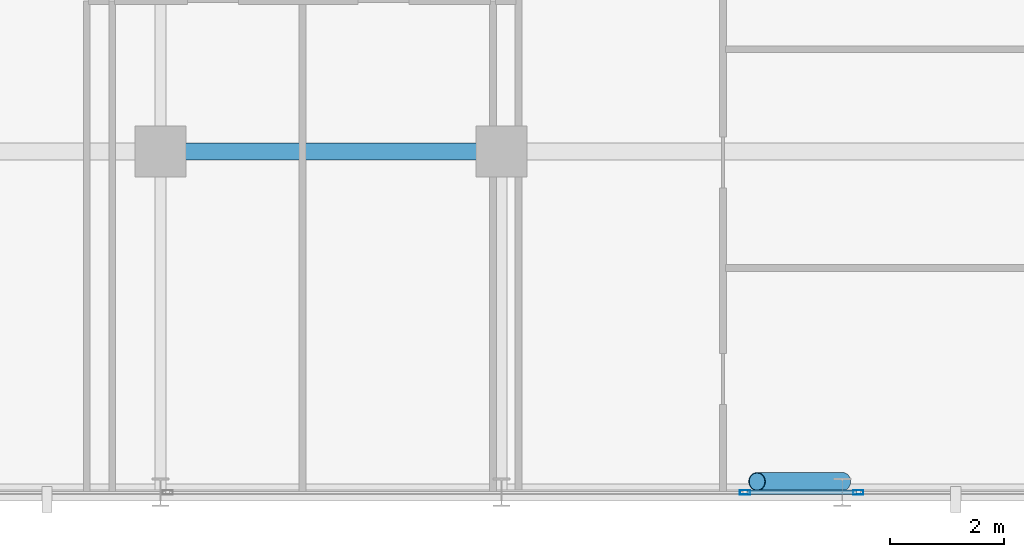
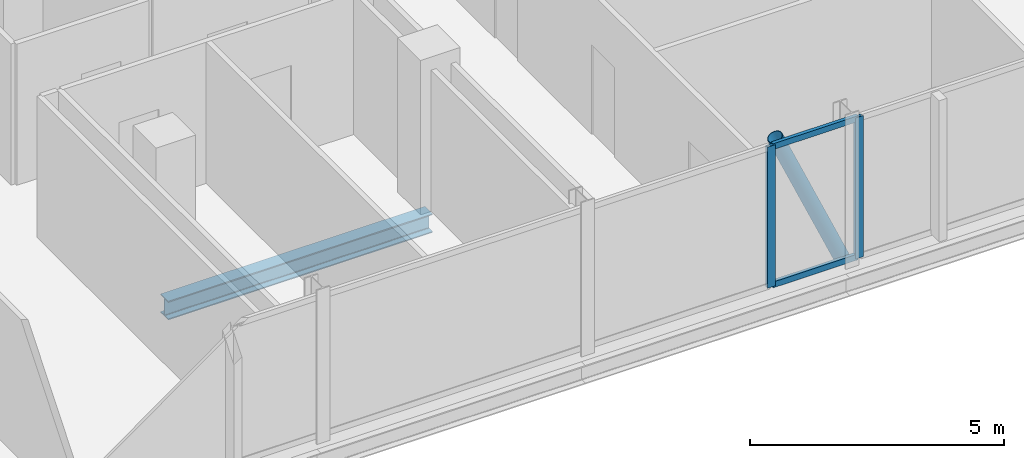
# One storey, part 9 of 31: 5 members, 1 beam, 2 elements without a shape of their own.
"""IFC4 building model written with IfcOpenShell, lengths in metres."""

from ifc_helpers import new_model, si_unit, direction, frame, origin, origin_2d, place, context, subcontext, project, spatial, hollow_rectangle, hollow_circle, i_section, extrude, material, layer, layer_set, material_profile, profile_set, type_object, element, aggregate, save


model = new_model("IFC4")

# Units and contexts
model_context = context("Model", 3, precision=1e-05, world=origin(), true_north=direction((0.0, 1.0)))
body_context = subcontext(model_context, "Body", "Model", "MODEL_VIEW")
ifc_project = project(units=[si_unit("LENGTHUNIT", "METRE"), si_unit("AREAUNIT", "SQUARE_METRE"), si_unit("VOLUMEUNIT", "CUBIC_METRE"), si_unit("PLANEANGLEUNIT", "RADIAN"), si_unit("MASSUNIT", "GRAM", prefix="KILO")], contexts=[model_context])

# Site, building, storey
site_placement = place(None, origin())
site = spatial("IfcSite", under=ifc_project, at=site_placement, CompositionType="ELEMENT")
building_placement = place(site_placement, origin())
building = spatial("IfcBuilding", under=site, at=building_placement, Name="Keshet Zoharim Tower", CompositionType="ELEMENT")
storey_placement = place(building_placement, frame((0.0, 0.0, 133.5)))
storey = spatial("IfcBuildingStorey", under=building, at=storey_placement, Name="L32", CompositionType="ELEMENT", Elevation=133.5)

# Beam
ifc_material_1 = material(Name="Steel S355", Category="steel")
ifc_material_profile_1 = material_profile(ifc_material_1, i_section(OverallWidth=0.300048828125, OverallDepth=0.449951171875, WebThickness=0.013916015625, FlangeThickness=0.02587890625, FilletRadius=0.027099609375, at=origin_2d()), Name="HEB450")
ifc_profile_set_1 = profile_set([ifc_material_profile_1], Name="Steel S355")
beam_type = type_object("IfcBeamType", Name="BM-WEB-HB450", PredefinedType="BEAM", material=ifc_profile_set_1)
beam_placement = place(storey_placement, frame((33.0, 6.699951171875, -0.5400390625), z_axis=(1.0, 0.0, 0.0), x_axis=(0.0, 1.0, 0.0)))
element("IfcBeam", 1, at=beam_placement, inside=storey, type_object=beam_type, Name="L32 Primary Girder X-007", PredefinedType="BEAM", context=body_context, shape_type="SweptSolid", body=[
    extrude(i_section(OverallWidth=0.300048828125, OverallDepth=0.449951171875, WebThickness=0.013916015625, FlangeThickness=0.02587890625, FilletRadius=0.027099609375, at=origin_2d()), origin(), (0.0, 0.0, 1.0), 6.0),
])

# Curtain wall, member
ifc_material_2 = material(Name="Aluminium 6063-T6", Category="aluminium")
ifc_layer = layer(ifc_material_2, 0.159912109375)
ifc_layer_set = layer_set([ifc_layer], Name="Aluminium 6063-T6")
curtain_wall_type = type_object("IfcCurtainWallType", Name="CW-SYS-03", PredefinedType="NOTDEFINED", material=ifc_layer_set)
curtain_wall_1_placement = place(storey_placement, origin())
curtain_wall_1 = element("IfcCurtainWall", 2, at=curtain_wall_1_placement, inside=storey, type_object=curtain_wall_type, Name="L32 Unitised Curtain Wall 03", PredefinedType="NOTDEFINED")
ifc_material_profile_2 = material_profile(ifc_material_2, hollow_rectangle(XDim=0.080078125, YDim=0.179931640625, WallThickness=0.00439453125, at=origin_2d()), Name="MUL-80x180")
ifc_profile_set_2 = profile_set([ifc_material_profile_2], Name="Aluminium 6063-T6")
member_type_1 = type_object("IfcMemberType", Name="CWM-M18", PredefinedType="MULLION", material=ifc_profile_set_2)
member_1_placement = place(storey_placement, frame((45.283203125, 0.699951171875, 0.0), z_axis=(0.0, 0.0, 1.0), x_axis=(0.0, -1.0, 0.0)))
member_1 = element("IfcMember", 3, at=member_1_placement, type_object=member_type_1, Name="CW-03 mullion 2", PredefinedType="MULLION", context=body_context, shape_type="SweptSolid", body=[
    extrude(hollow_rectangle(XDim=0.080078125, YDim=0.179931640625, WallThickness=0.00439453125, at=origin_2d()), origin(), (0.0, 0.0, 1.0), 3.385009765625),
])
aggregate(curtain_wall_1, [member_1])

# Curtain wall, members
curtain_wall_2_placement = place(storey_placement, origin())
curtain_wall_2 = element("IfcCurtainWall", 4, at=curtain_wall_2_placement, inside=storey, type_object=curtain_wall_type, Name="L32 Unitised Curtain Wall 03 Part 2", PredefinedType="NOTDEFINED")
member_2_placement = place(storey_placement, frame((43.286865234375, 0.699951171875, 0.0), z_axis=(0.0, 0.0, 1.0), x_axis=(0.0, -1.0, 0.0)))
member_2 = element("IfcMember", 5, at=member_2_placement, type_object=member_type_1, Name="CW-03 mullion 2", PredefinedType="MULLION", context=body_context, shape_type="SweptSolid", body=[
    extrude(hollow_rectangle(XDim=0.080078125, YDim=0.179931640625, WallThickness=0.00439453125, at=origin_2d()), origin(), (0.0, 0.0, 1.0), 3.385009765625),
])
ifc_material_profile_3 = material_profile(ifc_material_2, hollow_rectangle(XDim=0.080078125, YDim=0.139892578125, WallThickness=0.00390625, at=origin_2d()), Name="TRN-80x140")
ifc_profile_set_3 = profile_set([ifc_material_profile_3], Name="Aluminium 6063-T6")
member_type_2 = type_object("IfcMemberType", Name="CWT-T14", PredefinedType="USERDEFINED", material=ifc_profile_set_3)
member_3_placement = place(storey_placement, frame((45.248046875, 0.699951171875, 0.034912109375), z_axis=(-1.0, 0.0, 0.0), x_axis=(0.0, -1.0, 0.0)))
member_3 = element("IfcMember", 6, at=member_3_placement, type_object=member_type_2, Name="CW-03 transom 1.1", ObjectType="TRANSOM", PredefinedType="USERDEFINED", context=body_context, shape_type="SweptSolid", body=[
    extrude(hollow_rectangle(XDim=0.080078125, YDim=0.139892578125, WallThickness=0.00390625, at=origin_2d()), origin(), (0.0, 0.0, 1.0), 1.926025390625),
])
member_4_placement = place(storey_placement, frame((45.248046875, 0.699951171875, 3.35009765625), z_axis=(-1.0, 0.0, 0.0), x_axis=(0.0, -1.0, 0.0)))
member_4 = element("IfcMember", 7, at=member_4_placement, type_object=member_type_2, Name="CW-03 transom 1.2", ObjectType="TRANSOM", PredefinedType="USERDEFINED", context=body_context, shape_type="SweptSolid", body=[
    extrude(hollow_rectangle(XDim=0.080078125, YDim=0.139892578125, WallThickness=0.00390625, at=origin_2d()), origin(), (0.0, 0.0, 1.0), 1.926025390625),
])
aggregate(curtain_wall_2, [member_2, member_3, member_4])

# Member
ifc_material_profile_4 = material_profile(ifc_material_1, hollow_circle(Radius=0.161865234375, WallThickness=0.012451171875, at=origin_2d()), Name="CHS323x12.5")
ifc_profile_set_4 = profile_set([ifc_material_profile_4], Name="Steel S355")
member_type_3 = type_object("IfcMemberType", Name="MB-BR-C323", PredefinedType="BRACE", material=ifc_profile_set_4)
member_5_placement = place(storey_placement, frame((45.0, 0.889892578125, 0.0), z_axis=(-0.405134846829, 0.0, 0.91425694194), x_axis=(0.0, -1.0, 0.0)))
element("IfcMember", 8, at=member_5_placement, inside=storey, type_object=member_type_3, Name="L32 Perimeter Tube Brace 04", PredefinedType="BRACE", context=body_context, shape_type="SweptSolid", body=[
    extrude(hollow_circle(Radius=0.161865234375, WallThickness=0.012451171875, at=origin_2d()), origin(), (0.0, 0.0, 1.0), 3.702392578125),
])

save(model, "model.ifc")
